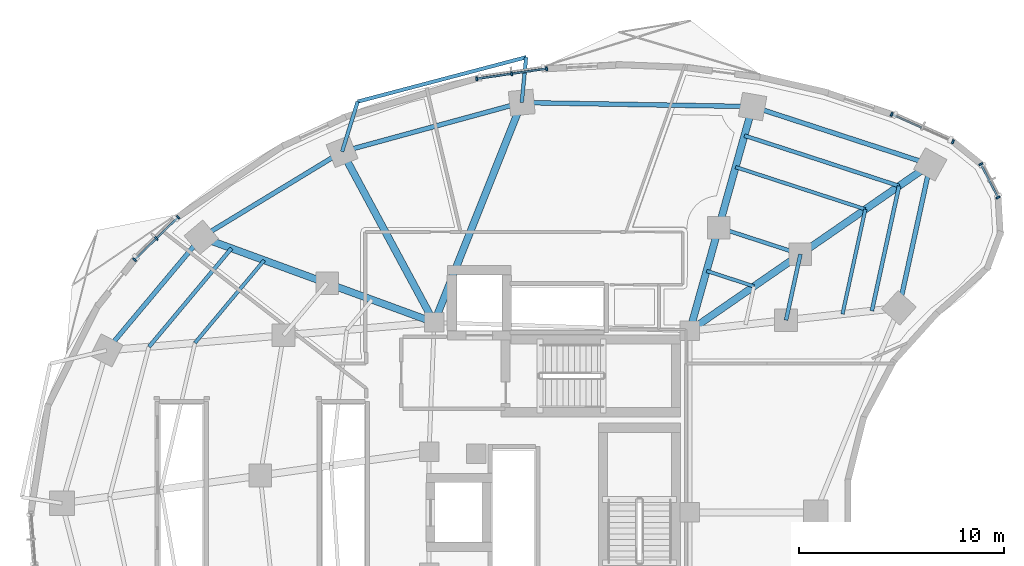
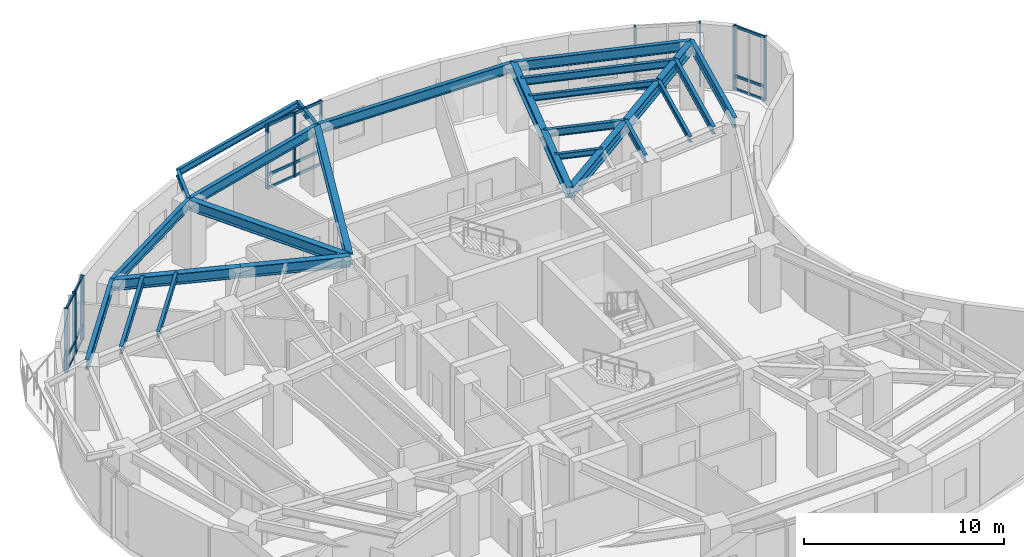
# One storey, part 5 of 14: 26 beams, 26 members, 4 elements without a shape of their own.
"""IFC4 building model written with IfcOpenShell, lengths in metres."""

from ifc_helpers import new_model, si_unit, direction, frame, origin, origin_2d, place, context, subcontext, project, spatial, rectangle, i_section, extrude, material, layer, layer_set, material_profile, profile_set, type_object, element, aggregate, save


model = new_model("IFC4")

# Units and contexts
model_context = context("Model", 3, precision=1e-05, world=origin(), true_north=direction((0.0, 1.0)))
body_context = subcontext(model_context, "Body", "Model", "MODEL_VIEW")
ifc_project = project(units=[si_unit("LENGTHUNIT", "METRE"), si_unit("AREAUNIT", "SQUARE_METRE"), si_unit("VOLUMEUNIT", "CUBIC_METRE"), si_unit("PLANEANGLEUNIT", "RADIAN"), si_unit("MASSUNIT", "GRAM", prefix="KILO")], contexts=[model_context])

# Site, building, storey
site_placement = place(None, origin())
site = spatial("IfcSite", under=ifc_project, at=site_placement, CompositionType="ELEMENT")
building_placement = place(site_placement, origin())
building = spatial("IfcBuilding", under=site, at=building_placement, Name="Korentha Bioscience Tower", CompositionType="ELEMENT")
storey_placement = place(building_placement, frame((0.0, 0.0, 132.0)))
storey = spatial("IfcBuildingStorey", under=building, at=storey_placement, Name="L30", CompositionType="ELEMENT", Elevation=132.0)

# Beams
ifc_material_1 = material(Name="Steel S355", Category="steel")
ifc_material_profile_1 = material_profile(ifc_material_1, i_section(OverallWidth=0.18994140625, OverallDepth=0.45703125, WebThickness=0.009033203125, FlangeThickness=0.014404296875, at=origin_2d()), Name="Steel S355")
ifc_profile_set_1 = profile_set([ifc_material_profile_1], Name="Steel S355 (MB-460)")
beam_type_1 = type_object("IfcBeamType", Name="Mid-Ring Tie Girder W460x74", PredefinedType="BEAM", material=ifc_profile_set_1)
beam_1_placement = place(storey_placement, frame((42.93603515625, 39.57470703125, 3.67138671875), z_axis=(-0.95087582253, 0.309572560361, 0.0), x_axis=(-0.309572560361, -0.95087582253, 0.0)))
element("IfcBeam", 1, at=beam_1_placement, inside=storey, type_object=beam_type_1, Name="L30 Mid-Ring Tie Girder 01", PredefinedType="BEAM", context=body_context, shape_type="SweptSolid", body=[
    extrude(i_section(OverallWidth=0.18994140625, OverallDepth=0.45703125, WebThickness=0.009033203125, FlangeThickness=0.014404296875, at=origin_2d()), origin(), (0.0, 0.0, 1.0), 4.186767578125),
])
beam_2_placement = place(storey_placement, frame((42.235595703125, 36.360595703125, 3.67138671875), z_axis=(0.212928773299, 0.977067724112, 0.0), x_axis=(-0.977067724112, 0.212928773299, 0.0)))
element("IfcBeam", 2, at=beam_2_placement, inside=storey, type_object=beam_type_1, Name="L30 Mid-Ring Tie Girder 16", PredefinedType="BEAM", context=body_context, shape_type="SweptSolid", body=[
    extrude(i_section(OverallWidth=0.18994140625, OverallDepth=0.45703125, WebThickness=0.009033203125, FlangeThickness=0.014404296875, at=origin_2d()), origin(), (0.0, 0.0, 1.0), 3.28955078125),
])

# Curtain wall, members
ifc_material_2 = material(Name="Thermally Broken Aluminium Frame", Category="aluminium")
ifc_layer = layer(ifc_material_2, 0.219970703125, Name="Thermally Broken Aluminium Frame")
ifc_layer_set = layer_set([ifc_layer], Name="Thermally Broken Aluminium Frame (CW-T2)")
curtain_wall_type = type_object("IfcCurtainWallType", Name="Solar-Screened Lab Unitised Curtain Wall CW-T2", PredefinedType="USERDEFINED", material=ifc_layer_set)
curtain_wall_1_placement = place(storey_placement, origin())
curtain_wall_1 = element("IfcCurtainWall", 3, at=curtain_wall_1_placement, inside=storey, type_object=curtain_wall_type, Name="L30 Curtain Wall 01", ObjectType="UNITISED", PredefinedType="USERDEFINED")
ifc_material_3 = material(Name="Anodised Aluminium 6063-T6", Category="aluminium")
ifc_material_profile_2 = material_profile(ifc_material_3, rectangle(XDim=0.090087890625, YDim=0.199951171875, at=origin_2d()), Name="Anodised Aluminium 6063-T6")
ifc_profile_set_2 = profile_set([ifc_material_profile_2], Name="Anodised Aluminium 6063-T6 (CW-MUL)")
member_type_1 = type_object("IfcMemberType", Name="Mullion RECT 90x200", PredefinedType="MULLION", material=ifc_profile_set_2)
member_1_placement = place(storey_placement, frame((50.364013671875, 45.0517578125, 0.0), z_axis=(0.0, 0.0, 1.0), x_axis=(-0.912686563127, 0.408660295952, 0.0)))
member_1 = element("IfcMember", 4, at=member_1_placement, type_object=member_type_1, Name="CW-L30-01 Mullion 1", PredefinedType="MULLION", context=body_context, shape_type="SweptSolid", body=[
    extrude(rectangle(XDim=0.090087890625, YDim=0.199951171875, at=origin_2d()), origin(), (0.0, 0.0, 1.0), 3.89990234375),
])
member_2_placement = place(storey_placement, frame((47.37890625, 46.388427734375, 0.0), z_axis=(0.0, 0.0, 1.0), x_axis=(-0.912686563127, 0.408660295952, 0.0)))
member_2 = element("IfcMember", 5, at=member_2_placement, type_object=member_type_1, Name="CW-L30-01 Mullion 3", PredefinedType="MULLION", context=body_context, shape_type="SweptSolid", body=[
    extrude(rectangle(XDim=0.090087890625, YDim=0.199951171875, at=origin_2d()), origin(), (0.0, 0.0, 1.0), 3.89990234375),
])

curtain_wall_2_placement = place(storey_placement, origin())
curtain_wall_2 = element("IfcCurtainWall", 6, at=curtain_wall_2_placement, inside=storey, type_object=curtain_wall_type, Name="L30 Curtain Wall 07", ObjectType="UNITISED", PredefinedType="USERDEFINED")
member_3_placement = place(storey_placement, frame((30.576416015625, 48.609375, 0.0), z_axis=(0.0, 0.0, 1.0), x_axis=(-0.989738282326, -0.14289203091, 0.0)))
member_3 = element("IfcMember", 7, at=member_3_placement, type_object=member_type_1, Name="CW-L30-07 Mullion 1", PredefinedType="MULLION", context=body_context, shape_type="SweptSolid", body=[
    extrude(rectangle(XDim=0.090087890625, YDim=0.199951171875, at=origin_2d()), origin(), (0.0, 0.0, 1.0), 3.89990234375),
])
member_4_placement = place(storey_placement, frame((28.873291015625, 48.363525390625, 0.0), z_axis=(0.0, 0.0, 1.0), x_axis=(-0.989738282326, -0.14289203091, 0.0)))
member_4 = element("IfcMember", 8, at=member_4_placement, type_object=member_type_1, Name="CW-L30-07 Mullion 2", PredefinedType="MULLION", context=body_context, shape_type="SweptSolid", body=[
    extrude(rectangle(XDim=0.090087890625, YDim=0.199951171875, at=origin_2d()), origin(), (0.0, 0.0, 1.0), 3.89990234375),
])
member_5_placement = place(storey_placement, frame((27.170166015625, 48.11767578125, 0.0), z_axis=(0.0, 0.0, 1.0), x_axis=(-0.989738282326, -0.14289203091, 0.0)))
member_5 = element("IfcMember", 9, at=member_5_placement, type_object=member_type_1, Name="CW-L30-07 Mullion 3", PredefinedType="MULLION", context=body_context, shape_type="SweptSolid", body=[
    extrude(rectangle(XDim=0.090087890625, YDim=0.199951171875, at=origin_2d()), origin(), (0.0, 0.0, 1.0), 3.89990234375),
])

curtain_wall_3_placement = place(storey_placement, origin())
curtain_wall_3 = element("IfcCurtainWall", 10, at=curtain_wall_3_placement, inside=storey, type_object=curtain_wall_type, Name="L30 Curtain Wall 13", ObjectType="UNITISED", PredefinedType="USERDEFINED")
member_6_placement = place(storey_placement, frame((12.631103515625, 41.377197265625, 0.0), z_axis=(0.0, 0.0, 1.0), x_axis=(-0.716095631804, -0.698002182025, 0.0)))
member_6 = element("IfcMember", 11, at=member_6_placement, type_object=member_type_1, Name="CW-L30-13 Mullion 1", PredefinedType="MULLION", context=body_context, shape_type="SweptSolid", body=[
    extrude(rectangle(XDim=0.090087890625, YDim=0.199951171875, at=origin_2d()), origin(), (0.0, 0.0, 1.0), 3.89990234375),
])
member_7_placement = place(storey_placement, frame((11.56689453125, 40.340087890625, 0.0), z_axis=(0.0, 0.0, 1.0), x_axis=(-0.716095631804, -0.698002182025, 0.0)))
member_7 = element("IfcMember", 12, at=member_7_placement, type_object=member_type_1, Name="CW-L30-13 Mullion 2", PredefinedType="MULLION", context=body_context, shape_type="SweptSolid", body=[
    extrude(rectangle(XDim=0.090087890625, YDim=0.199951171875, at=origin_2d()), origin(), (0.0, 0.0, 1.0), 3.89990234375),
])
member_8_placement = place(storey_placement, frame((10.5029296875, 39.302734375, 0.0), z_axis=(0.0, 0.0, 1.0), x_axis=(-0.716095631804, -0.698002182025, 0.0)))
member_8 = element("IfcMember", 13, at=member_8_placement, type_object=member_type_1, Name="CW-L30-13 Mullion 3", PredefinedType="MULLION", context=body_context, shape_type="SweptSolid", body=[
    extrude(rectangle(XDim=0.090087890625, YDim=0.199951171875, at=origin_2d()), origin(), (0.0, 0.0, 1.0), 3.89990234375),
])

curtain_wall_4_placement = place(storey_placement, origin())
curtain_wall_4 = element("IfcCurtainWall", 14, at=curtain_wall_4_placement, inside=storey, type_object=curtain_wall_type, Name="L30 Curtain Wall 61", ObjectType="UNITISED", PredefinedType="USERDEFINED")
member_9_placement = place(storey_placement, frame((52.55859375, 42.337158203125, 0.0), z_axis=(0.0, 0.0, 1.0), x_axis=(-0.457613117169, 0.889151412862, 0.0)))
member_9 = element("IfcMember", 15, at=member_9_placement, type_object=member_type_1, Name="CW-L30-61 Mullion 1", PredefinedType="MULLION", context=body_context, shape_type="SweptSolid", body=[
    extrude(rectangle(XDim=0.090087890625, YDim=0.199951171875, at=origin_2d()), origin(), (0.0, 0.0, 1.0), 3.89990234375),
])
member_10_placement = place(storey_placement, frame((51.722412109375, 43.962158203125, 0.0), z_axis=(0.0, 0.0, 1.0), x_axis=(-0.457613117169, 0.889151412862, 0.0)))
member_10 = element("IfcMember", 16, at=member_10_placement, type_object=member_type_1, Name="CW-L30-61 Mullion 2", PredefinedType="MULLION", context=body_context, shape_type="SweptSolid", body=[
    extrude(rectangle(XDim=0.090087890625, YDim=0.199951171875, at=origin_2d()), origin(), (0.0, 0.0, 1.0), 3.89990234375),
])

# Beams
ifc_material_profile_3 = material_profile(ifc_material_1, i_section(OverallWidth=0.22802734375, OverallDepth=0.60791015625, WebThickness=0.01123046875, FlangeThickness=0.017333984375, at=origin_2d()), Name="Steel S355")
ifc_profile_set_3 = profile_set([ifc_material_profile_3], Name="Steel S355 (SB-610)")
beam_type_2 = type_object("IfcBeamType", Name="Perimeter Ring Spandrel Girder W610x113", PredefinedType="SPANDREL", material=ifc_profile_set_3)
beam_3_placement = place(storey_placement, frame((49.2587890625, 43.947021484375, 3.595947265625), z_axis=(-0.950867758759, 0.309597327755, 0.0), x_axis=(-0.309597327755, -0.950867758759, 0.0)))
element("IfcBeam", 17, at=beam_3_placement, inside=storey, type_object=beam_type_2, Name="L30 Perimeter Spandrel Girder 01", PredefinedType="SPANDREL", context=body_context, shape_type="SweptSolid", body=[
    extrude(i_section(OverallWidth=0.22802734375, OverallDepth=0.60791015625, WebThickness=0.01123046875, FlangeThickness=0.017333984375, at=origin_2d()), origin(), (0.0, 0.0, 1.0), 9.101806640625),
])
beam_4_placement = place(storey_placement, frame((40.604248046875, 46.764892578125, 3.595947265625), z_axis=(-0.999850566826, 0.017287105523, 0.0), x_axis=(-0.017287105523, -0.999850566826, 0.0)))
element("IfcBeam", 18, at=beam_4_placement, inside=storey, type_object=beam_type_2, Name="L30 Perimeter Spandrel Girder 02", PredefinedType="SPANDREL", context=body_context, shape_type="SweptSolid", body=[
    extrude(i_section(OverallWidth=0.22802734375, OverallDepth=0.60791015625, WebThickness=0.01123046875, FlangeThickness=0.017333984375, at=origin_2d()), origin(), (0.0, 0.0, 1.0), 11.24169921875),
])
beam_5_placement = place(storey_placement, frame((29.3642578125, 46.959228515625, 3.595947265625), z_axis=(-0.964659386444, -0.263500034431, 0.0), x_axis=(0.263500034431, -0.964659386444, 0.0)))
element("IfcBeam", 19, at=beam_5_placement, inside=storey, type_object=beam_type_2, Name="L30 Perimeter Spandrel Girder 03", PredefinedType="SPANDREL", context=body_context, shape_type="SweptSolid", body=[
    extrude(i_section(OverallWidth=0.22802734375, OverallDepth=0.60791015625, WebThickness=0.01123046875, FlangeThickness=0.017333984375, at=origin_2d()), origin(), (0.0, 0.0, 1.0), 9.06982421875),
])
beam_6_placement = place(storey_placement, frame((20.614990234375, 44.5693359375, 3.595947265625), z_axis=(-0.854461040474, -0.51951547649, 0.0), x_axis=(0.51951547649, -0.854461040474, 0.0)))
element("IfcBeam", 20, at=beam_6_placement, inside=storey, type_object=beam_type_2, Name="L30 Perimeter Spandrel Girder 04", PredefinedType="SPANDREL", context=body_context, shape_type="SweptSolid", body=[
    extrude(i_section(OverallWidth=0.22802734375, OverallDepth=0.60791015625, WebThickness=0.01123046875, FlangeThickness=0.017333984375, at=origin_2d()), origin(), (0.0, 0.0, 1.0), 8.025146484375),
])
beam_7_placement = place(storey_placement, frame((13.7578125, 40.400146484375, 3.595947265625), z_axis=(-0.642126556076, -0.76659864726, 0.0), x_axis=(0.76659864726, -0.642126556076, 0.0)))
element("IfcBeam", 21, at=beam_7_placement, inside=storey, type_object=beam_type_2, Name="L30 Perimeter Spandrel Girder 05", PredefinedType="SPANDREL", context=body_context, shape_type="SweptSolid", body=[
    extrude(i_section(OverallWidth=0.22802734375, OverallDepth=0.60791015625, WebThickness=0.01123046875, FlangeThickness=0.017333984375, at=origin_2d()), origin(), (0.0, 0.0, 1.0), 7.1884765625),
])
beam_8_placement = place(storey_placement, frame((47.736083984375, 36.959716796875, 3.595947265625), z_axis=(0.212927102256, 0.977068088275, 0.0), x_axis=(-0.977068088275, 0.212927102256, 0.0)))
element("IfcBeam", 22, at=beam_8_placement, inside=storey, type_object=beam_type_2, Name="L30 Perimeter Spandrel Girder 16", PredefinedType="SPANDREL", context=body_context, shape_type="SweptSolid", body=[
    extrude(i_section(OverallWidth=0.22802734375, OverallDepth=0.60791015625, WebThickness=0.01123046875, FlangeThickness=0.017333984375, at=origin_2d()), origin(), (0.0, 0.0, 1.0), 7.1513671875),
])
ifc_material_profile_4 = material_profile(ifc_material_1, i_section(OverallWidth=0.18994140625, OverallDepth=0.45703125, WebThickness=0.009033203125, FlangeThickness=0.014404296875, at=origin_2d()), Name="Steel S355")
ifc_profile_set_4 = profile_set([ifc_material_profile_4], Name="Steel S355 (RB-460)")
beam_type_3 = type_object("IfcBeamType", Name="Radial Laboratory Beam W460x74", PredefinedType="BEAM", material=ifc_profile_set_4)
beam_9_placement = place(storey_placement, frame((47.7412109375, 42.8974609375, 3.67138671875), z_axis=(-0.950866789802, 0.3096003037, 0.0), x_axis=(-0.3096003037, -0.950866789802, 0.0)))
element("IfcBeam", 23, at=beam_9_placement, inside=storey, type_object=beam_type_3, Name="L30 Secondary Floor Beam JSTO-01", PredefinedType="BEAM", context=body_context, shape_type="SweptSolid", body=[
    extrude(i_section(OverallWidth=0.18994140625, OverallDepth=0.45703125, WebThickness=0.009033203125, FlangeThickness=0.014404296875, at=origin_2d()), origin(), (0.0, 0.0, 1.0), 7.921875),
])
beam_10_placement = place(storey_placement, frame((15.227783203125, 39.8623046875, 3.67138671875), z_axis=(-0.642128156066, -0.766597307057, 0.0), x_axis=(0.766597307057, -0.642128156066, 0.0)))
element("IfcBeam", 24, at=beam_10_placement, inside=storey, type_object=beam_type_3, Name="L30 Secondary Floor Beam JSTO-05", PredefinedType="BEAM", context=body_context, shape_type="SweptSolid", body=[
    extrude(i_section(OverallWidth=0.18994140625, OverallDepth=0.45703125, WebThickness=0.009033203125, FlangeThickness=0.014404296875, at=origin_2d()), origin(), (0.0, 0.0, 1.0), 6.257080078125),
])
beam_11_placement = place(storey_placement, frame((46.416015625, 36.81591796875, 3.67138671875), z_axis=(0.21290837934, 0.977072168269, 0.0), x_axis=(-0.977072168269, 0.21290837934, 0.0)))
element("IfcBeam", 25, at=beam_11_placement, inside=storey, type_object=beam_type_3, Name="L30 Secondary Floor Beam JSTO-16", PredefinedType="BEAM", context=body_context, shape_type="SweptSolid", body=[
    extrude(i_section(OverallWidth=0.18994140625, OverallDepth=0.45703125, WebThickness=0.009033203125, FlangeThickness=0.014404296875, at=origin_2d()), origin(), (0.0, 0.0, 1.0), 6.224365234375),
])
ifc_material_profile_5 = material_profile(ifc_material_1, i_section(OverallWidth=0.35009765625, OverallDepth=0.64990234375, WebThickness=0.01611328125, FlangeThickness=0.02490234375, at=origin_2d()), Name="Steel S355")
ifc_profile_set_5 = profile_set([ifc_material_profile_5], Name="Steel S355 (RB-650)")
beam_type_4 = type_object("IfcBeamType", Name="Radial Laboratory Girder CVS 650x208", PredefinedType="BEAM", material=ifc_profile_set_5)
beam_12_placement = place(storey_placement, frame((37.550048828125, 35.85009765625, 3.574951171875), z_axis=(0.822488699387, 0.568781451333, 0.0), x_axis=(-0.568781451333, 0.822488699387, 0.0)))
element("IfcBeam", 26, at=beam_12_placement, inside=storey, type_object=beam_type_4, Name="L30 Inner Radial Girder 01", PredefinedType="BEAM", context=body_context, shape_type="SweptSolid", body=[
    extrude(i_section(OverallWidth=0.35009765625, OverallDepth=0.64990234375, WebThickness=0.01611328125, FlangeThickness=0.02490234375, at=origin_2d()), origin(), (0.0, 0.0, 1.0), 6.54833984375),
])
beam_13_placement = place(storey_placement, frame((42.93603515625, 39.57470703125, 3.574951171875), z_axis=(0.822495056204, 0.568772258922, 0.0), x_axis=(-0.568772258922, 0.822495056204, 0.0)))
element("IfcBeam", 27, at=beam_13_placement, inside=storey, type_object=beam_type_4, Name="L30 Outer Radial Girder 01", PredefinedType="BEAM", context=body_context, shape_type="SweptSolid", body=[
    extrude(i_section(OverallWidth=0.35009765625, OverallDepth=0.64990234375, WebThickness=0.01611328125, FlangeThickness=0.02490234375, at=origin_2d()), origin(), (0.0, 0.0, 1.0), 7.687255859375),
])
beam_14_placement = place(storey_placement, frame((37.550048828125, 35.85009765625, 3.574951171875), z_axis=(0.269447542125, 0.96301506844, 0.0), x_axis=(-0.96301506844, 0.269447542125, 0.0)))
element("IfcBeam", 28, at=beam_14_placement, inside=storey, type_object=beam_type_4, Name="L30 Inner Radial Girder 02", PredefinedType="BEAM", context=body_context, shape_type="SweptSolid", body=[
    extrude(i_section(OverallWidth=0.35009765625, OverallDepth=0.64990234375, WebThickness=0.01611328125, FlangeThickness=0.02490234375, at=origin_2d()), origin(), (0.0, 0.0, 1.0), 5.213623046875),
])
beam_15_placement = place(storey_placement, frame((38.954833984375, 40.870849609375, 3.574951171875), z_axis=(0.269490843458, 0.963002951861, 0.0), x_axis=(-0.963002951861, 0.269490843458, 0.0)))
element("IfcBeam", 29, at=beam_15_placement, inside=storey, type_object=beam_type_4, Name="L30 Outer Radial Girder 02", PredefinedType="BEAM", context=body_context, shape_type="SweptSolid", body=[
    extrude(i_section(OverallWidth=0.35009765625, OverallDepth=0.64990234375, WebThickness=0.01611328125, FlangeThickness=0.02490234375, at=origin_2d()), origin(), (0.0, 0.0, 1.0), 6.120361328125),
])
beam_16_placement = place(storey_placement, frame((25.10009765625, 36.25, 3.574951171875), z_axis=(0.369929528493, 0.929059817207, 0.0), x_axis=(-0.929059817207, 0.369929528493, 0.0)))
element("IfcBeam", 30, at=beam_16_placement, inside=storey, type_object=beam_type_4, Name="L30 Radial Girder 03", PredefinedType="BEAM", context=body_context, shape_type="SweptSolid", body=[
    extrude(i_section(OverallWidth=0.35009765625, OverallDepth=0.64990234375, WebThickness=0.01611328125, FlangeThickness=0.02490234375, at=origin_2d()), origin(), (0.0, 0.0, 1.0), 11.52685546875),
])
beam_17_placement = place(storey_placement, frame((25.10009765625, 36.25, 3.574951171875), z_axis=(-0.474548018732, 0.880229616587, 0.0), x_axis=(-0.880229616587, -0.474548018732, 0.0)))
element("IfcBeam", 31, at=beam_17_placement, inside=storey, type_object=beam_type_4, Name="L30 Radial Girder 04", PredefinedType="BEAM", context=body_context, shape_type="SweptSolid", body=[
    extrude(i_section(OverallWidth=0.35009765625, OverallDepth=0.64990234375, WebThickness=0.01611328125, FlangeThickness=0.02490234375, at=origin_2d()), origin(), (0.0, 0.0, 1.0), 9.451416015625),
])
beam_18_placement = place(storey_placement, frame((25.10009765625, 36.25, 3.574951171875), z_axis=(-0.939118010396, 0.343594765022, 0.0), x_axis=(-0.343594765022, -0.939118010396, 0.0)))
element("IfcBeam", 32, at=beam_18_placement, inside=storey, type_object=beam_type_4, Name="L30 Inner Radial Girder 05", PredefinedType="BEAM", context=body_context, shape_type="SweptSolid", body=[
    extrude(i_section(OverallWidth=0.35009765625, OverallDepth=0.64990234375, WebThickness=0.01611328125, FlangeThickness=0.02490234375, at=origin_2d()), origin(), (0.0, 0.0, 1.0), 5.5556640625),
])
beam_19_placement = place(storey_placement, frame((19.882568359375, 38.158935546875, 3.574951171875), z_axis=(-0.939100755225, 0.343641923425, 0.0), x_axis=(-0.343641923425, -0.939100755225, 0.0)))
element("IfcBeam", 33, at=beam_19_placement, inside=storey, type_object=beam_type_4, Name="L30 Outer Radial Girder 05", PredefinedType="BEAM", context=body_context, shape_type="SweptSolid", body=[
    extrude(i_section(OverallWidth=0.35009765625, OverallDepth=0.64990234375, WebThickness=0.01611328125, FlangeThickness=0.02490234375, at=origin_2d()), origin(), (0.0, 0.0, 1.0), 6.52197265625),
])
ifc_material_profile_6 = material_profile(ifc_material_1, i_section(OverallWidth=0.1708984375, OverallDepth=0.35498046875, WebThickness=0.007080078125, FlangeThickness=0.01171875, at=origin_2d()), Name="Steel S355")
ifc_profile_set_6 = profile_set([ifc_material_profile_6], Name="Steel S355 (JB-360)")
beam_type_5 = type_object("IfcBeamType", Name="Secondary Laboratory Joist W360x51", PredefinedType="JOIST", material=ifc_profile_set_6)
beam_20_placement = place(storey_placement, frame((46.097412109375, 41.7607421875, 3.722412109375), z_axis=(-0.950864890997, 0.309606135387, 0.0), x_axis=(-0.309606135387, -0.950864890997, 0.0)))
element("IfcBeam", 34, at=beam_20_placement, inside=storey, type_object=beam_type_5, Name="L30 Secondary Floor Beam JST-01", PredefinedType="JOIST", context=body_context, shape_type="SweptSolid", body=[
    extrude(i_section(OverallWidth=0.1708984375, OverallDepth=0.35498046875, WebThickness=0.007080078125, FlangeThickness=0.01171875, at=origin_2d()), origin(), (0.0, 0.0, 1.0), 6.644287109375),
])
beam_21_placement = place(storey_placement, frame((40.673828125, 38.01025390625, 3.722412109375), z_axis=(-0.950852158547, 0.30964523666, 0.0), x_axis=(-0.30964523666, -0.950852158547, 0.0)))
element("IfcBeam", 35, at=beam_21_placement, inside=storey, type_object=beam_type_5, Name="L30 Inner Bay Joist 01", PredefinedType="JOIST", context=body_context, shape_type="SweptSolid", body=[
    extrude(i_section(OverallWidth=0.1708984375, OverallDepth=0.35498046875, WebThickness=0.007080078125, FlangeThickness=0.01171875, at=origin_2d()), origin(), (0.0, 0.0, 1.0), 2.428466796875),
])
beam_22_placement = place(storey_placement, frame((16.8203125, 39.279541015625, 3.722412109375), z_axis=(-0.642140812018, -0.76658670582, 0.0), x_axis=(0.76658670582, -0.642140812018, 0.0)))
element("IfcBeam", 36, at=beam_22_placement, inside=storey, type_object=beam_type_5, Name="L30 Secondary Floor Beam JST-05", PredefinedType="JOIST", context=body_context, shape_type="SweptSolid", body=[
    extrude(i_section(OverallWidth=0.1708984375, OverallDepth=0.35498046875, WebThickness=0.007080078125, FlangeThickness=0.01171875, at=origin_2d()), origin(), (0.0, 0.0, 1.0), 5.247802734375),
])
beam_23_placement = place(storey_placement, frame((44.98583984375, 36.66015625, 3.722412109375), z_axis=(0.212932493609, 0.977066913351, 0.0), x_axis=(-0.977066913351, 0.212932493609, 0.0)))
element("IfcBeam", 37, at=beam_23_placement, inside=storey, type_object=beam_type_5, Name="L30 Secondary Floor Beam JST-16", PredefinedType="JOIST", context=body_context, shape_type="SweptSolid", body=[
    extrude(i_section(OverallWidth=0.1708984375, OverallDepth=0.35498046875, WebThickness=0.007080078125, FlangeThickness=0.01171875, at=origin_2d()), origin(), (0.0, 0.0, 1.0), 5.22021484375),
])
ifc_material_profile_7 = material_profile(ifc_material_1, i_section(OverallWidth=0.177978515625, OverallDepth=0.406982421875, WebThickness=0.0078125, FlangeThickness=0.0126953125, at=origin_2d()), Name="Steel S355")
ifc_profile_set_7 = profile_set([ifc_material_profile_7], Name="Steel S355 (CB-410)")
beam_type_6 = type_object("IfcBeamType", Name="Sun-Ledge Cantilever Beam W410x60", PredefinedType="BEAM", material=ifc_profile_set_7)
beam_24_placement = place(storey_placement, frame((29.3642578125, 46.959228515625, 3.698486328125), z_axis=(0.096387491069, 0.995343886084, 0.0), x_axis=(-0.995343886084, 0.096387491069, 0.0)))
element("IfcBeam", 38, at=beam_24_placement, inside=storey, type_object=beam_type_6, Name="L30 Balcony Cantilever Bracket A-L31-01", PredefinedType="BEAM", context=body_context, shape_type="SweptSolid", body=[
    extrude(i_section(OverallWidth=0.177978515625, OverallDepth=0.406982421875, WebThickness=0.0078125, FlangeThickness=0.0126953125, at=origin_2d()), origin(), (0.0, 0.0, 1.0), 2.21875),
])
beam_25_placement = place(storey_placement, frame((20.614990234375, 44.5693359375, 3.698486328125), z_axis=(0.296781492489, 0.954945415045, 0.0), x_axis=(-0.954945415045, 0.296781492489, 0.0)))
element("IfcBeam", 39, at=beam_25_placement, inside=storey, type_object=beam_type_6, Name="L30 Balcony Cantilever Bracket B-L31-01", PredefinedType="BEAM", context=body_context, shape_type="SweptSolid", body=[
    extrude(i_section(OverallWidth=0.177978515625, OverallDepth=0.406982421875, WebThickness=0.0078125, FlangeThickness=0.0126953125, at=origin_2d()), origin(), (0.0, 0.0, 1.0), 2.551025390625),
])
beam_26_placement = place(storey_placement, frame((29.578125, 49.167724609375, 3.698486328125), z_axis=(-0.966991382873, -0.254809076464, 0.0), x_axis=(0.254809076464, -0.966991382873, 0.0)))
element("IfcBeam", 40, at=beam_26_placement, inside=storey, type_object=beam_type_6, Name="L30 Balcony Edge Trimmer Beam L31-01", PredefinedType="BEAM", context=body_context, shape_type="SweptSolid", body=[
    extrude(i_section(OverallWidth=0.177978515625, OverallDepth=0.406982421875, WebThickness=0.0078125, FlangeThickness=0.0126953125, at=origin_2d()), origin(), (0.0, 0.0, 1.0), 8.486083984375),
])

# Member
ifc_material_profile_8 = material_profile(ifc_material_3, rectangle(XDim=0.090087890625, YDim=0.159912109375, at=origin_2d()), Name="Anodised Aluminium 6063-T6")
ifc_profile_set_8 = profile_set([ifc_material_profile_8], Name="Anodised Aluminium 6063-T6 (CW-TRN)")
member_type_2 = type_object("IfcMemberType", Name="Transom RECT 90x160", PredefinedType="USERDEFINED", material=ifc_profile_set_8)
member_11_placement = place(storey_placement, frame((48.830322265625, 45.738525390625, 0.044921875), z_axis=(-0.912667864607, 0.408702053962, 0.0), x_axis=(-0.408702053962, -0.912667864607, 0.0)))
member_11 = element("IfcMember", 41, at=member_11_placement, type_object=member_type_2, Name="CW-L30-01 Bay 2 Transom 1", ObjectType="TRANSOM", PredefinedType="USERDEFINED", context=body_context, shape_type="SweptSolid", body=[
    extrude(rectangle(XDim=0.090087890625, YDim=0.159912109375, at=origin_2d()), origin(), (0.0, 0.0, 1.0), 1.54541015625),
])

aggregate(curtain_wall_1, [member_1, member_2, member_11])

member_12_placement = place(storey_placement, frame((30.53173828125, 48.602783203125, 0.044921875), z_axis=(-0.989747883164, -0.142825515132, 0.0), x_axis=(0.142825515132, -0.989747883164, 0.0)))
member_12 = element("IfcMember", 42, at=member_12_placement, type_object=member_type_2, Name="CW-L30-07 Bay 1 Transom 1", ObjectType="TRANSOM", PredefinedType="USERDEFINED", context=body_context, shape_type="SweptSolid", body=[
    extrude(rectangle(XDim=0.090087890625, YDim=0.159912109375, at=origin_2d()), origin(), (0.0, 0.0, 1.0), 1.630615234375),
])

member_13_placement = place(storey_placement, frame((30.53173828125, 48.602783203125, 0.85009765625), z_axis=(-0.989747883164, -0.142825515132, 0.0), x_axis=(0.142825515132, -0.989747883164, 0.0)))
member_13 = element("IfcMember", 43, at=member_13_placement, type_object=member_type_2, Name="CW-L30-07 Bay 1 Transom 2", ObjectType="TRANSOM", PredefinedType="USERDEFINED", context=body_context, shape_type="SweptSolid", body=[
    extrude(rectangle(XDim=0.090087890625, YDim=0.159912109375, at=origin_2d()), origin(), (0.0, 0.0, 1.0), 1.630615234375),
])

member_14_placement = place(storey_placement, frame((30.53173828125, 48.602783203125, 3.85498046875), z_axis=(-0.989747883164, -0.142825515132, 0.0), x_axis=(0.142825515132, -0.989747883164, 0.0)))
member_14 = element("IfcMember", 44, at=member_14_placement, type_object=member_type_2, Name="CW-L30-07 Bay 1 Transom 3", ObjectType="TRANSOM", PredefinedType="USERDEFINED", context=body_context, shape_type="SweptSolid", body=[
    extrude(rectangle(XDim=0.090087890625, YDim=0.159912109375, at=origin_2d()), origin(), (0.0, 0.0, 1.0), 1.630615234375),
])

member_15_placement = place(storey_placement, frame((28.82861328125, 48.357177734375, 0.044921875), z_axis=(-0.989723648346, -0.142993356153, 0.0), x_axis=(0.142993356153, -0.989723648346, 0.0)))
member_15 = element("IfcMember", 45, at=member_15_placement, type_object=member_type_2, Name="CW-L30-07 Bay 2 Transom 1", ObjectType="TRANSOM", PredefinedType="USERDEFINED", context=body_context, shape_type="SweptSolid", body=[
    extrude(rectangle(XDim=0.090087890625, YDim=0.159912109375, at=origin_2d()), origin(), (0.0, 0.0, 1.0), 1.630615234375),
])

member_16_placement = place(storey_placement, frame((28.82861328125, 48.357177734375, 0.85009765625), z_axis=(-0.989723648346, -0.142993356153, 0.0), x_axis=(0.142993356153, -0.989723648346, 0.0)))
member_16 = element("IfcMember", 46, at=member_16_placement, type_object=member_type_2, Name="CW-L30-07 Bay 2 Transom 2", ObjectType="TRANSOM", PredefinedType="USERDEFINED", context=body_context, shape_type="SweptSolid", body=[
    extrude(rectangle(XDim=0.090087890625, YDim=0.159912109375, at=origin_2d()), origin(), (0.0, 0.0, 1.0), 1.630615234375),
])

member_17_placement = place(storey_placement, frame((28.82861328125, 48.357177734375, 3.85498046875), z_axis=(-0.989723648346, -0.142993356153, 0.0), x_axis=(0.142993356153, -0.989723648346, 0.0)))
member_17 = element("IfcMember", 47, at=member_17_placement, type_object=member_type_2, Name="CW-L30-07 Bay 2 Transom 3", ObjectType="TRANSOM", PredefinedType="USERDEFINED", context=body_context, shape_type="SweptSolid", body=[
    extrude(rectangle(XDim=0.090087890625, YDim=0.159912109375, at=origin_2d()), origin(), (0.0, 0.0, 1.0), 1.630615234375),
])

aggregate(curtain_wall_2, [member_3, member_4, member_5, member_12, member_13, member_14, member_15, member_16, member_17])

member_18_placement = place(storey_placement, frame((12.598876953125, 41.345703125, 0.044921875), z_axis=(-0.716142170971, -0.697954433296, 0.0), x_axis=(0.697954433296, -0.716142170971, 0.0)))
member_18 = element("IfcMember", 48, at=member_18_placement, type_object=member_type_2, Name="CW-L30-13 Bay 1 Transom 1", ObjectType="TRANSOM", PredefinedType="USERDEFINED", context=body_context, shape_type="SweptSolid", body=[
    extrude(rectangle(XDim=0.090087890625, YDim=0.159912109375, at=origin_2d()), origin(), (0.0, 0.0, 1.0), 1.39599609375),
])

member_19_placement = place(storey_placement, frame((12.598876953125, 41.345703125, 0.85009765625), z_axis=(-0.716142170971, -0.697954433296, 0.0), x_axis=(0.697954433296, -0.716142170971, 0.0)))
member_19 = element("IfcMember", 49, at=member_19_placement, type_object=member_type_2, Name="CW-L30-13 Bay 1 Transom 2", ObjectType="TRANSOM", PredefinedType="USERDEFINED", context=body_context, shape_type="SweptSolid", body=[
    extrude(rectangle(XDim=0.090087890625, YDim=0.159912109375, at=origin_2d()), origin(), (0.0, 0.0, 1.0), 1.39599609375),
])

member_20_placement = place(storey_placement, frame((12.598876953125, 41.345703125, 3.85498046875), z_axis=(-0.716142170971, -0.697954433296, 0.0), x_axis=(0.697954433296, -0.716142170971, 0.0)))
member_20 = element("IfcMember", 50, at=member_20_placement, type_object=member_type_2, Name="CW-L30-13 Bay 1 Transom 3", ObjectType="TRANSOM", PredefinedType="USERDEFINED", context=body_context, shape_type="SweptSolid", body=[
    extrude(rectangle(XDim=0.090087890625, YDim=0.159912109375, at=origin_2d()), origin(), (0.0, 0.0, 1.0), 1.39599609375),
])

member_21_placement = place(storey_placement, frame((11.534912109375, 40.30859375, 0.044921875), z_axis=(-0.716142170971, -0.697954433296, 0.0), x_axis=(0.697954433296, -0.716142170971, 0.0)))
member_21 = element("IfcMember", 51, at=member_21_placement, type_object=member_type_2, Name="CW-L30-13 Bay 2 Transom 1", ObjectType="TRANSOM", PredefinedType="USERDEFINED", context=body_context, shape_type="SweptSolid", body=[
    extrude(rectangle(XDim=0.090087890625, YDim=0.159912109375, at=origin_2d()), origin(), (0.0, 0.0, 1.0), 1.39599609375),
])

member_22_placement = place(storey_placement, frame((11.534912109375, 40.30859375, 0.85009765625), z_axis=(-0.716142170971, -0.697954433296, 0.0), x_axis=(0.697954433296, -0.716142170971, 0.0)))
member_22 = element("IfcMember", 52, at=member_22_placement, type_object=member_type_2, Name="CW-L30-13 Bay 2 Transom 2", ObjectType="TRANSOM", PredefinedType="USERDEFINED", context=body_context, shape_type="SweptSolid", body=[
    extrude(rectangle(XDim=0.090087890625, YDim=0.159912109375, at=origin_2d()), origin(), (0.0, 0.0, 1.0), 1.39599609375),
])

member_23_placement = place(storey_placement, frame((11.534912109375, 40.30859375, 3.85498046875), z_axis=(-0.716142170971, -0.697954433296, 0.0), x_axis=(0.697954433296, -0.716142170971, 0.0)))
member_23 = element("IfcMember", 53, at=member_23_placement, type_object=member_type_2, Name="CW-L30-13 Bay 2 Transom 3", ObjectType="TRANSOM", PredefinedType="USERDEFINED", context=body_context, shape_type="SweptSolid", body=[
    extrude(rectangle(XDim=0.090087890625, YDim=0.159912109375, at=origin_2d()), origin(), (0.0, 0.0, 1.0), 1.39599609375),
])

aggregate(curtain_wall_3, [member_6, member_7, member_8, member_18, member_19, member_20, member_21, member_22, member_23])

member_24_placement = place(storey_placement, frame((52.5380859375, 42.377197265625, 0.044921875), z_axis=(-0.457636897633, 0.889139173541, 0.0), x_axis=(-0.889139173541, -0.457636897633, 0.0)))
member_24 = element("IfcMember", 54, at=member_24_placement, type_object=member_type_2, Name="CW-L30-61 Bay 1 Transom 1", ObjectType="TRANSOM", PredefinedType="USERDEFINED", context=body_context, shape_type="SweptSolid", body=[
    extrude(rectangle(XDim=0.090087890625, YDim=0.159912109375, at=origin_2d()), origin(), (0.0, 0.0, 1.0), 1.737548828125),
])

member_25_placement = place(storey_placement, frame((52.5380859375, 42.377197265625, 0.85009765625), z_axis=(-0.457636897633, 0.889139173541, 0.0), x_axis=(-0.889139173541, -0.457636897633, 0.0)))
member_25 = element("IfcMember", 55, at=member_25_placement, type_object=member_type_2, Name="CW-L30-61 Bay 1 Transom 2", ObjectType="TRANSOM", PredefinedType="USERDEFINED", context=body_context, shape_type="SweptSolid", body=[
    extrude(rectangle(XDim=0.090087890625, YDim=0.159912109375, at=origin_2d()), origin(), (0.0, 0.0, 1.0), 1.737548828125),
])

member_26_placement = place(storey_placement, frame((52.5380859375, 42.377197265625, 3.85498046875), z_axis=(-0.457636897633, 0.889139173541, 0.0), x_axis=(-0.889139173541, -0.457636897633, 0.0)))
member_26 = element("IfcMember", 56, at=member_26_placement, type_object=member_type_2, Name="CW-L30-61 Bay 1 Transom 3", ObjectType="TRANSOM", PredefinedType="USERDEFINED", context=body_context, shape_type="SweptSolid", body=[
    extrude(rectangle(XDim=0.090087890625, YDim=0.159912109375, at=origin_2d()), origin(), (0.0, 0.0, 1.0), 1.737548828125),
])

aggregate(curtain_wall_4, [member_9, member_10, member_24, member_25, member_26])

save(model, "model.ifc")
